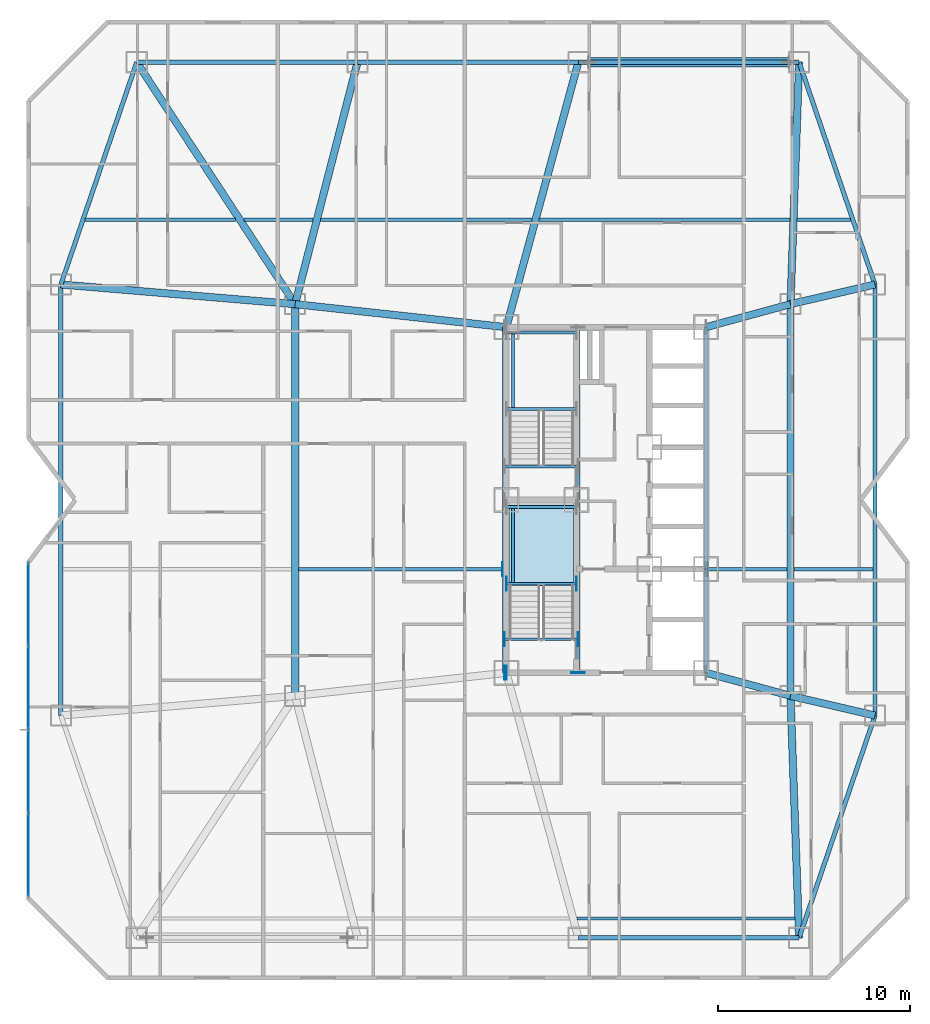
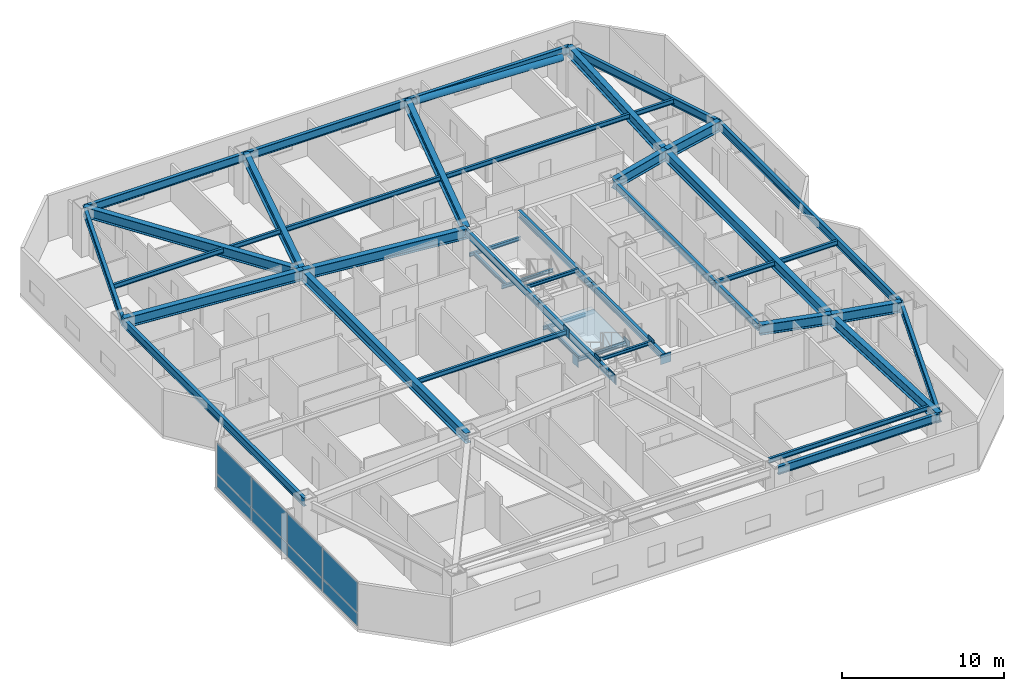
# One storey, part 7 of 18: 45 beams, 16 plates, 1 member, 1 slab, 2 elements without a shape of their own.
"""IFC4 building model written with IfcOpenShell, lengths in metres."""

from ifc_helpers import new_model, si_unit, direction, frame, origin, origin_2d, place, context, subcontext, project, spatial, polyline, rectangle, hollow_circle, i_section, outline, extrude, material, layer, layer_set, material_profile, profile_set, type_object, element, aggregate, save


model = new_model("IFC4")

# Units and contexts
model_context = context("Model", 3, precision=1e-05, world=origin(), true_north=direction((0.0, 1.0)))
body_context = subcontext(model_context, "Body", "Model", "MODEL_VIEW")
ifc_project = project(units=[si_unit("LENGTHUNIT", "METRE"), si_unit("AREAUNIT", "SQUARE_METRE"), si_unit("VOLUMEUNIT", "CUBIC_METRE"), si_unit("PLANEANGLEUNIT", "RADIAN"), si_unit("MASSUNIT", "GRAM", prefix="KILO")], contexts=[model_context])

# Site, building, storey
site_placement = place(None, origin())
site = spatial("IfcSite", under=ifc_project, at=site_placement, CompositionType="ELEMENT")
building_placement = place(site_placement, origin())
building = spatial("IfcBuilding", under=site, at=building_placement, Name="Khamvora Tower", CompositionType="ELEMENT")
storey_placement = place(building_placement, frame((0.0, 0.0, 47.89990234375)))
storey = spatial("IfcBuildingStorey", under=building, at=storey_placement, Name="L11", CompositionType="ELEMENT", Elevation=47.89990234375)

# Beams
ifc_material_1 = material(Name="Steel S355", Category="steel")
ifc_material_profile_1 = material_profile(ifc_material_1, i_section(OverallWidth=0.1708984375, OverallDepth=0.35498046875, WebThickness=0.007080078125, FlangeThickness=0.011962890625, FilletRadius=0.010009765625, at=origin_2d()), Name="W360x51")
ifc_profile_set_1 = profile_set([ifc_material_profile_1], Name="Steel S355")
beam_type_1 = type_object("IfcBeamType", Name="BM-JS-W360x51", PredefinedType="JOIST", material=ifc_profile_set_1)
beam_1_placement = place(storey_placement, frame((32.6708984375, 6.199951171875, 3.252197265625), z_axis=(1.0, 0.0, 0.0), x_axis=(0.0, 1.0, 0.0)))
element("IfcBeam", 1, at=beam_1_placement, inside=storey, type_object=beam_type_1, Name="L11 secondary floor joist 03", PredefinedType="JOIST", context=body_context, shape_type="SweptSolid", body=[
    extrude(i_section(OverallWidth=0.1708984375, OverallDepth=0.35498046875, WebThickness=0.007080078125, FlangeThickness=0.011962890625, FilletRadius=0.010009765625, at=origin_2d()), origin(), (0.0, 0.0, 1.0), 11.358154296875),
])
beam_2_placement = place(storey_placement, frame((18.18603515625, 24.39990234375, 3.252197265625), z_axis=(1.0, 0.0, 0.0), x_axis=(0.0, 1.0, 0.0)))
element("IfcBeam", 2, at=beam_2_placement, inside=storey, type_object=beam_type_1, Name="L11 secondary floor joist 05", PredefinedType="JOIST", context=body_context, shape_type="SweptSolid", body=[
    extrude(i_section(OverallWidth=0.1708984375, OverallDepth=0.35498046875, WebThickness=0.007080078125, FlangeThickness=0.011962890625, FilletRadius=0.010009765625, at=origin_2d()), origin(), (0.0, 0.0, 1.0), 10.614013671875),
])
beam_3_placement = place(storey_placement, frame((39.4990234375, 24.39990234375, 3.252197265625), z_axis=(1.0, 0.0, 0.0), x_axis=(0.0, 1.0, 0.0)))
element("IfcBeam", 3, at=beam_3_placement, inside=storey, type_object=beam_type_1, Name="L11 secondary floor joist 06", PredefinedType="JOIST", context=body_context, shape_type="SweptSolid", body=[
    extrude(i_section(OverallWidth=0.1708984375, OverallDepth=0.35498046875, WebThickness=0.007080078125, FlangeThickness=0.011962890625, FilletRadius=0.010009765625, at=origin_2d()), origin(), (0.0, 0.0, 1.0), 4.114990234375),
])
beam_4_placement = place(storey_placement, frame((43.985107421875, 24.39990234375, 3.252197265625), z_axis=(1.0, 0.0, 0.0), x_axis=(0.0, 1.0, 0.0)))
element("IfcBeam", 4, at=beam_4_placement, inside=storey, type_object=beam_type_1, Name="L11 secondary floor joist 07", PredefinedType="JOIST", context=body_context, shape_type="SweptSolid", body=[
    extrude(i_section(OverallWidth=0.1708984375, OverallDepth=0.35498046875, WebThickness=0.007080078125, FlangeThickness=0.011962890625, FilletRadius=0.010009765625, at=origin_2d()), origin(), (0.0, 0.0, 1.0), 4.10498046875),
])
beam_5_placement = place(storey_placement, frame((7.068115234375, 42.60009765625, 3.252197265625), z_axis=(1.0, 0.0, 0.0), x_axis=(0.0, 1.0, 0.0)))
element("IfcBeam", 5, at=beam_5_placement, inside=storey, type_object=beam_type_1, Name="L11 secondary floor joist 08", PredefinedType="JOIST", context=body_context, shape_type="SweptSolid", body=[
    extrude(i_section(OverallWidth=0.1708984375, OverallDepth=0.35498046875, WebThickness=0.007080078125, FlangeThickness=0.011962890625, FilletRadius=0.010009765625, at=origin_2d()), origin(), (0.0, 0.0, 1.0), 7.827880859375),
])
beam_6_placement = place(storey_placement, frame((15.342041015625, 42.60009765625, 3.252197265625), z_axis=(1.0, 0.0, 0.0), x_axis=(0.0, 1.0, 0.0)))
element("IfcBeam", 6, at=beam_6_placement, inside=storey, type_object=beam_type_1, Name="L11 secondary floor joist 09", PredefinedType="JOIST", context=body_context, shape_type="SweptSolid", body=[
    extrude(i_section(OverallWidth=0.1708984375, OverallDepth=0.35498046875, WebThickness=0.007080078125, FlangeThickness=0.011962890625, FilletRadius=0.010009765625, at=origin_2d()), origin(), (0.0, 0.0, 1.0), 3.60107421875),
])
beam_7_placement = place(storey_placement, frame((19.326904296875, 42.60009765625, 3.252197265625), z_axis=(1.0, 0.0, 0.0), x_axis=(0.0, 1.0, 0.0)))
element("IfcBeam", 7, at=beam_7_placement, inside=storey, type_object=beam_type_1, Name="L11 secondary floor joist 10", PredefinedType="JOIST", context=body_context, shape_type="SweptSolid", body=[
    extrude(i_section(OverallWidth=0.1708984375, OverallDepth=0.35498046875, WebThickness=0.007080078125, FlangeThickness=0.011962890625, FilletRadius=0.010009765625, at=origin_2d()), origin(), (0.0, 0.0, 1.0), 11.002197265625),
])
beam_8_placement = place(storey_placement, frame((30.714111328125, 42.60009765625, 3.252197265625), z_axis=(1.0, 0.0, 0.0), x_axis=(0.0, 1.0, 0.0)))
element("IfcBeam", 8, at=beam_8_placement, inside=storey, type_object=beam_type_1, Name="L11 secondary floor joist 11", PredefinedType="JOIST", context=body_context, shape_type="SweptSolid", body=[
    extrude(i_section(OverallWidth=0.1708984375, OverallDepth=0.35498046875, WebThickness=0.007080078125, FlangeThickness=0.011962890625, FilletRadius=0.010009765625, at=origin_2d()), origin(), (0.0, 0.0, 1.0), 13.057861328125),
])
beam_9_placement = place(storey_placement, frame((44.14306640625, 42.60009765625, 3.252197265625), z_axis=(1.0, 0.0, 0.0), x_axis=(0.0, 1.0, 0.0)))
element("IfcBeam", 9, at=beam_9_placement, inside=storey, type_object=beam_type_1, Name="L11 secondary floor joist 12", PredefinedType="JOIST", context=body_context, shape_type="SweptSolid", body=[
    extrude(i_section(OverallWidth=0.1708984375, OverallDepth=0.35498046875, WebThickness=0.007080078125, FlangeThickness=0.011962890625, FilletRadius=0.010009765625, at=origin_2d()), origin(), (0.0, 0.0, 1.0), 2.788818359375),
])
ifc_material_profile_2 = material_profile(ifc_material_1, i_section(OverallWidth=0.14697265625, OverallDepth=0.261962890625, WebThickness=0.007080078125, FlangeThickness=0.010986328125, FilletRadius=0.008056640625, at=origin_2d()), Name="W250x39")
ifc_profile_set_2 = profile_set([ifc_material_profile_2], Name="Steel S355")
beam_type_2 = type_object("IfcBeamType", Name="BM-LN-W250x39", PredefinedType="LINTEL", material=ifc_profile_set_2)
for number, where, z_axis, x_axis, name in (
    (10, (29.0, 23.635009765625, 1.494140625), (1.0, 0.0, 0.0), (0.0, 1.0, 0.0), "L11 ST-01 half-landing support beam 1.1"),
    (11, (29.0, 27.6298828125, 1.494140625), (1.0, 0.0, 0.0), (0.0, 1.0, 0.0), "L11 ST-01 half-landing support beam 1.2"),
):
    element("IfcBeam", number, at=place(storey_placement, frame(where, z_axis=z_axis, x_axis=x_axis)), inside=storey, type_object=beam_type_2, Name=name, PredefinedType="LINTEL", context=body_context, shape_type="SweptSolid", body=[
        extrude(i_section(OverallWidth=0.14697265625, OverallDepth=0.261962890625, WebThickness=0.007080078125, FlangeThickness=0.010986328125, FilletRadius=0.008056640625, at=origin_2d()), origin(), (0.0, 0.0, 1.0), 3.64990234375),
    ])
beam_10_placement = place(storey_placement, frame((29.35009765625, 23.635009765625, 1.494140625), z_axis=(0.0, 1.0, 0.0), x_axis=(-1.0, 0.0, 0.0)))
element("IfcBeam", 12, at=beam_10_placement, inside=storey, type_object=beam_type_2, Name="L11 ST-01 half-landing edge stringer 1", PredefinedType="LINTEL", context=body_context, shape_type="SweptSolid", body=[
    extrude(i_section(OverallWidth=0.14697265625, OverallDepth=0.261962890625, WebThickness=0.007080078125, FlangeThickness=0.010986328125, FilletRadius=0.008056640625, at=origin_2d()), origin(), (0.0, 0.0, 1.0), 3.994873046875),
])
for number, where, z_axis, x_axis, name in (
    (13, (29.0, 32.735107421875, 1.494140625), (1.0, 0.0, 0.0), (0.0, 1.0, 0.0), "L11 ST-02 half-landing support beam 1.1"),
    (14, (29.0, 36.72998046875, 1.494140625), (1.0, 0.0, 0.0), (0.0, 1.0, 0.0), "L11 ST-02 half-landing support beam 1.2"),
):
    element("IfcBeam", number, at=place(storey_placement, frame(where, z_axis=z_axis, x_axis=x_axis)), inside=storey, type_object=beam_type_2, Name=name, PredefinedType="LINTEL", context=body_context, shape_type="SweptSolid", body=[
        extrude(i_section(OverallWidth=0.14697265625, OverallDepth=0.261962890625, WebThickness=0.007080078125, FlangeThickness=0.010986328125, FilletRadius=0.008056640625, at=origin_2d()), origin(), (0.0, 0.0, 1.0), 3.64990234375),
    ])
beam_11_placement = place(storey_placement, frame((29.35009765625, 32.735107421875, 1.494140625), z_axis=(0.0, 1.0, 0.0), x_axis=(-1.0, 0.0, 0.0)))
element("IfcBeam", 15, at=beam_11_placement, inside=storey, type_object=beam_type_2, Name="L11 ST-02 half-landing edge stringer 1", PredefinedType="LINTEL", context=body_context, shape_type="SweptSolid", body=[
    extrude(i_section(OverallWidth=0.14697265625, OverallDepth=0.261962890625, WebThickness=0.007080078125, FlangeThickness=0.010986328125, FilletRadius=0.008056640625, at=origin_2d()), origin(), (0.0, 0.0, 1.0), 3.994873046875),
])
for number, where, z_axis, x_axis, name in (
    (16, (28.89990234375, 20.75, 3.30419921875), (1.0, 0.0, 0.0), (0.0, 1.0, 0.0), "L11 exit stair ST-01 landing trimmer beam"),
    (17, (28.89990234375, 29.75, 3.30419921875), (1.0, 0.0, 0.0), (0.0, 1.0, 0.0), "L11 exit stair ST-02 landing trimmer beam"),
):
    element("IfcBeam", number, at=place(storey_placement, frame(where, z_axis=z_axis, x_axis=x_axis)), inside=storey, type_object=beam_type_2, Name=name, PredefinedType="LINTEL", context=body_context, shape_type="SweptSolid", body=[
        extrude(i_section(OverallWidth=0.14697265625, OverallDepth=0.261962890625, WebThickness=0.007080078125, FlangeThickness=0.010986328125, FilletRadius=0.008056640625, at=origin_2d()), origin(), (0.0, 0.0, 1.0), 3.830078125),
    ])
ifc_material_profile_3 = material_profile(ifc_material_1, i_section(OverallWidth=0.381103515625, OverallDepth=0.77294921875, WebThickness=0.01708984375, FlangeThickness=0.027099609375, FilletRadius=0.01806640625, at=origin_2d()), Name="W760x257")
ifc_profile_set_3 = profile_set([ifc_material_profile_3], Name="Steel S355")
beam_type_3 = type_object("IfcBeamType", Name="BM-PG-W760x257", PredefinedType="BEAM", material=ifc_profile_set_3)
for number, where, z_axis, x_axis, name in (
    (18, (43.800048828125, 17.800048828125, 3.044189453125), (0.0, 1.0, 0.0), (-1.0, 0.0, 0.0), "L11 longitudinal frame girder M1-M2"),
    (19, (18.0, 17.800048828125, 3.044189453125), (0.0, 1.0, 0.0), (-1.0, 0.0, 0.0), "L11 longitudinal frame girder MW1-MW2"),
):
    element("IfcBeam", number, at=place(storey_placement, frame(where, z_axis=z_axis, x_axis=x_axis)), inside=storey, type_object=beam_type_3, Name=name, PredefinedType="BEAM", context=body_context, shape_type="SweptSolid", body=[
        extrude(i_section(OverallWidth=0.381103515625, OverallDepth=0.77294921875, WebThickness=0.01708984375, FlangeThickness=0.027099609375, FilletRadius=0.01806640625, at=origin_2d()), origin(), (0.0, 0.0, 1.0), 20.39990234375),
    ])
beam_12_placement = place(storey_placement, frame((43.800048828125, 17.800048828125, 3.044189453125), z_axis=(0.035687386423, -0.999363002342, 0.0), x_axis=(0.999363002342, 0.035687386423, 0.0)))
element("IfcBeam", 20, at=beam_12_placement, inside=storey, type_object=beam_type_3, Name="L11 primary floor girder S4", PredefinedType="BEAM", context=body_context, shape_type="SweptSolid", body=[
    extrude(i_section(OverallWidth=0.381103515625, OverallDepth=0.77294921875, WebThickness=0.01708984375, FlangeThickness=0.027099609375, FilletRadius=0.01806640625, at=origin_2d()), origin(), (0.0, 0.0, 1.0), 12.608154296875),
])
beam_13_placement = place(storey_placement, frame((18.0, 38.199951171875, 3.044189453125), z_axis=(-0.547782969742, 0.836620474325, 0.0), x_axis=(-0.836620474325, -0.547782969742, 0.0)))
element("IfcBeam", 21, at=beam_13_placement, inside=storey, type_object=beam_type_3, Name="L11 primary floor girder N1", PredefinedType="BEAM", context=body_context, shape_type="SweptSolid", body=[
    extrude(i_section(OverallWidth=0.381103515625, OverallDepth=0.77294921875, WebThickness=0.01708984375, FlangeThickness=0.027099609375, FilletRadius=0.01806640625, at=origin_2d()), origin(), (0.0, 0.0, 1.0), 15.060791015625),
])
beam_14_placement = place(storey_placement, frame((18.0, 38.199951171875, 3.044189453125), z_axis=(0.249759990341, 0.968307775051, 0.0), x_axis=(-0.968307775051, 0.249759990341, 0.0)))
element("IfcBeam", 22, at=beam_14_placement, inside=storey, type_object=beam_type_3, Name="L11 primary floor girder N2", PredefinedType="BEAM", context=body_context, shape_type="SweptSolid", body=[
    extrude(i_section(OverallWidth=0.381103515625, OverallDepth=0.77294921875, WebThickness=0.01708984375, FlangeThickness=0.027099609375, FilletRadius=0.01806640625, at=origin_2d()), origin(), (0.0, 0.0, 1.0), 13.012451171875),
])
beam_15_placement = place(storey_placement, frame((29.0, 37.0, 3.044189453125), z_axis=(0.262228883577, 0.965005706003, 0.0), x_axis=(-0.965005706003, 0.262228883577, 0.0)))
element("IfcBeam", 23, at=beam_15_placement, inside=storey, type_object=beam_type_3, Name="L11 primary floor girder N3", PredefinedType="BEAM", context=body_context, shape_type="SweptSolid", body=[
    extrude(i_section(OverallWidth=0.381103515625, OverallDepth=0.77294921875, WebThickness=0.01708984375, FlangeThickness=0.027099609375, FilletRadius=0.01806640625, at=origin_2d()), origin(), (0.0, 0.0, 1.0), 14.300537109375),
])
beam_16_placement = place(storey_placement, frame((43.800048828125, 38.199951171875, 3.044189453125), z_axis=(0.035687386423, 0.999363002342, 0.0), x_axis=(-0.999363002342, 0.035687386423, 0.0)))
element("IfcBeam", 24, at=beam_16_placement, inside=storey, type_object=beam_type_3, Name="L11 primary floor girder N4", PredefinedType="BEAM", context=body_context, shape_type="SweptSolid", body=[
    extrude(i_section(OverallWidth=0.381103515625, OverallDepth=0.77294921875, WebThickness=0.01708984375, FlangeThickness=0.027099609375, FilletRadius=0.01806640625, at=origin_2d()), origin(), (0.0, 0.0, 1.0), 12.608154296875),
])
beam_17_placement = place(storey_placement, frame((18.0, 38.199951171875, 3.044189453125), z_axis=(-0.996488172114, 0.083733642207, 0.0), x_axis=(-0.083733642207, -0.996488172114, 0.0)))
element("IfcBeam", 25, at=beam_17_placement, inside=storey, type_object=beam_type_3, Name="L11 primary floor girder W2", PredefinedType="BEAM", context=body_context, shape_type="SweptSolid", body=[
    extrude(i_section(OverallWidth=0.381103515625, OverallDepth=0.77294921875, WebThickness=0.01708984375, FlangeThickness=0.027099609375, FilletRadius=0.01806640625, at=origin_2d()), origin(), (0.0, 0.0, 1.0), 12.242919921875),
])
for number, where, z_axis, x_axis, name in (
    (26, (43.800048828125, 17.800048828125, 3.044189453125), (0.973914503503, -0.226915270237, 0.0), (0.226915270237, 0.973914503503, 0.0), "L11 primary floor girder E1"),
    (27, (43.800048828125, 38.199951171875, 3.044189453125), (0.973914503503, 0.226915270237, 0.0), (-0.226915270237, 0.973914503503, 0.0), "L11 primary floor girder E2"),
):
    element("IfcBeam", number, at=place(storey_placement, frame(where, z_axis=z_axis, x_axis=x_axis)), inside=storey, type_object=beam_type_3, Name=name, PredefinedType="BEAM", context=body_context, shape_type="SweptSolid", body=[
        extrude(i_section(OverallWidth=0.381103515625, OverallDepth=0.77294921875, WebThickness=0.01708984375, FlangeThickness=0.027099609375, FilletRadius=0.01806640625, at=origin_2d()), origin(), (0.0, 0.0, 1.0), 4.517822265625),
    ])
beam_18_placement = place(storey_placement, frame((29.0, 37.0, 3.044189453125), z_axis=(-0.994102652327, 0.108443149329, 0.0), x_axis=(-0.108443149329, -0.994102652327, 0.0)))
element("IfcBeam", 28, at=beam_18_placement, inside=storey, type_object=beam_type_3, Name="L11 primary floor girder MW2", PredefinedType="BEAM", context=body_context, shape_type="SweptSolid", body=[
    extrude(i_section(OverallWidth=0.381103515625, OverallDepth=0.77294921875, WebThickness=0.01708984375, FlangeThickness=0.027099609375, FilletRadius=0.01806640625, at=origin_2d()), origin(), (0.0, 0.0, 1.0), 11.065185546875),
])
for number, where, z_axis, x_axis, name in (
    (29, (39.39990234375, 19.0, 3.044189453125), (0.964768762286, -0.263099287945, 0.0), (0.263099287945, 0.964768762286, 0.0), "L11 primary floor girder M1"),
    (30, (39.39990234375, 37.0, 3.044189453125), (0.964768762286, 0.263099287945, 0.0), (-0.263099287945, 0.964768762286, 0.0), "L11 primary floor girder M2"),
):
    element("IfcBeam", number, at=place(storey_placement, frame(where, z_axis=z_axis, x_axis=x_axis)), inside=storey, type_object=beam_type_3, Name=name, PredefinedType="BEAM", context=body_context, shape_type="SweptSolid", body=[
        extrude(i_section(OverallWidth=0.381103515625, OverallDepth=0.77294921875, WebThickness=0.01708984375, FlangeThickness=0.027099609375, FilletRadius=0.01806640625, at=origin_2d()), origin(), (0.0, 0.0, 1.0), 4.560791015625),
    ])
ifc_material_profile_4 = material_profile(ifc_material_1, i_section(OverallWidth=0.208984375, OverallDepth=0.532958984375, WebThickness=0.010009765625, FlangeThickness=0.01611328125, FilletRadius=0.013916015625, at=origin_2d()), Name="W530x92")
ifc_profile_set_4 = profile_set([ifc_material_profile_4], Name="Steel S355")
beam_type_4 = type_object("IfcBeamType", Name="BM-SP-W530x92", PredefinedType="SPANDREL", material=ifc_profile_set_4)
for number, where, z_axis, x_axis, name in (
    (31, (28.89990234375, 19.0, 3.1630859375), (0.0, 1.0, 0.0), (-1.0, 0.0, 0.0), "L11 core spine girder WS"),
    (32, (28.89990234375, 28.0, 3.1630859375), (0.0, 1.0, 0.0), (-1.0, 0.0, 0.0), "L11 core spine girder WN"),
    (33, (32.72998046875, 19.0, 3.1630859375), (0.0, 1.0, 0.0), (-1.0, 0.0, 0.0), "L11 core spine girder M1S"),
    (34, (32.72998046875, 28.0, 3.1630859375), (0.0, 1.0, 0.0), (-1.0, 0.0, 0.0), "L11 core spine girder M1N"),
):
    element("IfcBeam", number, at=place(storey_placement, frame(where, z_axis=z_axis, x_axis=x_axis)), inside=storey, type_object=beam_type_4, Name=name, PredefinedType="SPANDREL", context=body_context, shape_type="SweptSolid", body=[
        extrude(i_section(OverallWidth=0.208984375, OverallDepth=0.532958984375, WebThickness=0.010009765625, FlangeThickness=0.01611328125, FilletRadius=0.013916015625, at=origin_2d()), origin(), (0.0, 0.0, 1.0), 9.0),
    ])
beam_19_placement = place(storey_placement, frame((39.39990234375, 19.0, 3.1630859375), z_axis=(0.0, 1.0, 0.0), x_axis=(-1.0, 0.0, 0.0)))
element("IfcBeam", 35, at=beam_19_placement, inside=storey, type_object=beam_type_4, Name="L11 core spine girder ES", PredefinedType="SPANDREL", context=body_context, shape_type="SweptSolid", body=[
    extrude(i_section(OverallWidth=0.208984375, OverallDepth=0.532958984375, WebThickness=0.010009765625, FlangeThickness=0.01611328125, FilletRadius=0.013916015625, at=origin_2d()), origin(), (0.0, 0.0, 1.0), 5.39990234375),
])
beam_20_placement = place(storey_placement, frame((39.39990234375, 24.39990234375, 3.1630859375), z_axis=(0.0, 1.0, 0.0), x_axis=(-1.0, 0.0, 0.0)))
element("IfcBeam", 36, at=beam_20_placement, inside=storey, type_object=beam_type_4, Name="L11 core spine girder EN", PredefinedType="SPANDREL", context=body_context, shape_type="SweptSolid", body=[
    extrude(i_section(OverallWidth=0.208984375, OverallDepth=0.532958984375, WebThickness=0.010009765625, FlangeThickness=0.01611328125, FilletRadius=0.013916015625, at=origin_2d()), origin(), (0.0, 0.0, 1.0), 12.60009765625),
])
ifc_material_profile_5 = material_profile(ifc_material_1, i_section(OverallWidth=0.22998046875, OverallDepth=0.616943359375, WebThickness=0.012939453125, FlangeThickness=0.02197265625, FilletRadius=0.013916015625, at=origin_2d()), Name="W610x140")
ifc_profile_set_5 = profile_set([ifc_material_profile_5], Name="Steel S355")
beam_type_5 = type_object("IfcBeamType", Name="BM-SP-W610x140", PredefinedType="SPANDREL", material=ifc_profile_set_5)
beam_21_placement = place(storey_placement, frame((32.75, 5.199951171875, 3.12109375), z_axis=(1.0, 0.0, 0.0), x_axis=(0.0, 1.0, 0.0)))
element("IfcBeam", 37, at=beam_21_placement, inside=storey, type_object=beam_type_5, Name="L11 perimeter spandrel beam S3-S4", PredefinedType="SPANDREL", context=body_context, shape_type="SweptSolid", body=[
    extrude(i_section(OverallWidth=0.22998046875, OverallDepth=0.616943359375, WebThickness=0.012939453125, FlangeThickness=0.02197265625, FilletRadius=0.013916015625, at=origin_2d()), origin(), (0.0, 0.0, 1.0), 11.5),
])
beam_22_placement = place(storey_placement, frame((44.25, 5.199951171875, 3.12109375), z_axis=(0.322962893199, 0.946411628002, 0.0), x_axis=(-0.946411628002, 0.322962893199, 0.0)))
element("IfcBeam", 38, at=beam_22_placement, inside=storey, type_object=beam_type_5, Name="L11 perimeter spandrel beam S4-E1", PredefinedType="SPANDREL", context=body_context, shape_type="SweptSolid", body=[
    extrude(i_section(OverallWidth=0.22998046875, OverallDepth=0.616943359375, WebThickness=0.012939453125, FlangeThickness=0.02197265625, FilletRadius=0.013916015625, at=origin_2d()), origin(), (0.0, 0.0, 1.0), 12.23046875),
])
beam_23_placement = place(storey_placement, frame((48.199951171875, 16.77490234375, 3.12109375), z_axis=(0.0, 1.0, 0.0), x_axis=(-1.0, 0.0, 0.0)))
element("IfcBeam", 39, at=beam_23_placement, inside=storey, type_object=beam_type_5, Name="L11 perimeter spandrel beam E1-E2", PredefinedType="SPANDREL", context=body_context, shape_type="SweptSolid", body=[
    extrude(i_section(OverallWidth=0.22998046875, OverallDepth=0.616943359375, WebThickness=0.012939453125, FlangeThickness=0.02197265625, FilletRadius=0.013916015625, at=origin_2d()), origin(), (0.0, 0.0, 1.0), 22.4501953125),
])
beam_24_placement = place(storey_placement, frame((48.199951171875, 39.22509765625, 3.12109375), z_axis=(-0.322962893199, 0.946411628002, 0.0), x_axis=(-0.946411628002, -0.322962893199, 0.0)))
element("IfcBeam", 40, at=beam_24_placement, inside=storey, type_object=beam_type_5, Name="L11 perimeter spandrel beam E2-N4", PredefinedType="SPANDREL", context=body_context, shape_type="SweptSolid", body=[
    extrude(i_section(OverallWidth=0.22998046875, OverallDepth=0.616943359375, WebThickness=0.012939453125, FlangeThickness=0.02197265625, FilletRadius=0.013916015625, at=origin_2d()), origin(), (0.0, 0.0, 1.0), 12.23046875),
])
for number, where, z_axis, x_axis, name in (
    (41, (44.25, 50.800048828125, 3.12109375), (-1.0, 0.0, 0.0), (0.0, -1.0, 0.0), "L11 perimeter spandrel beam N4-N3"),
    (42, (32.75, 50.800048828125, 3.12109375), (-1.0, 0.0, 0.0), (0.0, -1.0, 0.0), "L11 perimeter spandrel beam N3-N2"),
    (43, (21.25, 50.800048828125, 3.12109375), (-1.0, 0.0, 0.0), (0.0, -1.0, 0.0), "L11 perimeter spandrel beam N2-N1"),
):
    element("IfcBeam", number, at=place(storey_placement, frame(where, z_axis=z_axis, x_axis=x_axis)), inside=storey, type_object=beam_type_5, Name=name, PredefinedType="SPANDREL", context=body_context, shape_type="SweptSolid", body=[
        extrude(i_section(OverallWidth=0.22998046875, OverallDepth=0.616943359375, WebThickness=0.012939453125, FlangeThickness=0.02197265625, FilletRadius=0.013916015625, at=origin_2d()), origin(), (0.0, 0.0, 1.0), 11.5),
    ])
beam_25_placement = place(storey_placement, frame((9.75, 50.800048828125, 3.12109375), z_axis=(-0.322962893199, -0.946411628002, 0.0), x_axis=(0.946411628002, -0.322962893199, 0.0)))
element("IfcBeam", 44, at=beam_25_placement, inside=storey, type_object=beam_type_5, Name="L11 perimeter spandrel beam N1-W2", PredefinedType="SPANDREL", context=body_context, shape_type="SweptSolid", body=[
    extrude(i_section(OverallWidth=0.22998046875, OverallDepth=0.616943359375, WebThickness=0.012939453125, FlangeThickness=0.02197265625, FilletRadius=0.013916015625, at=origin_2d()), origin(), (0.0, 0.0, 1.0), 12.23046875),
])
beam_26_placement = place(storey_placement, frame((5.800048828125, 39.22509765625, 3.12109375), z_axis=(0.0, -1.0, 0.0), x_axis=(1.0, 0.0, 0.0)))
element("IfcBeam", 45, at=beam_26_placement, inside=storey, type_object=beam_type_5, Name="L11 perimeter spandrel beam W2-W1", PredefinedType="SPANDREL", context=body_context, shape_type="SweptSolid", body=[
    extrude(i_section(OverallWidth=0.22998046875, OverallDepth=0.616943359375, WebThickness=0.012939453125, FlangeThickness=0.02197265625, FilletRadius=0.013916015625, at=origin_2d()), origin(), (0.0, 0.0, 1.0), 22.4501953125),
])

# Member
ifc_material_2 = material(Name="Steel S460", Category="steel")
ifc_material_profile_6 = material_profile(ifc_material_2, hollow_circle(Radius=0.25390625, WallThickness=0.02490234375, at=origin_2d()), Name="CHS508x25")
ifc_profile_set_6 = profile_set([ifc_material_profile_6], Name="Steel S460")
member_type = type_object("IfcMemberType", Name="MEM-BR-CHS508", PredefinedType="BRACE", material=ifc_profile_set_6)
member_placement = place(storey_placement, frame((43.719970703125, 50.800048828125, 2.7001953125), z_axis=(-0.999263588849, 0.0, 0.038370301036), x_axis=(0.0, -1.0, 0.0)))
element("IfcMember", 46, at=member_placement, inside=storey, type_object=member_type, Name="L11 perimeter wind brace 2", PredefinedType="BRACE", context=body_context, shape_type="SweptSolid", body=[
    extrude(hollow_circle(Radius=0.25390625, WallThickness=0.02490234375, at=origin_2d()), origin(), (0.0, 0.0, 1.0), 10.44775390625),
])

# Curtain wall, plates
ifc_material_3 = material(Name="Anodised Aluminium 6063-T6", Category="aluminium")
curtain_wall_type = type_object("IfcCurtainWallType", Name="CW-SYS-02", PredefinedType="NOTDEFINED", material=ifc_material_3)
curtain_wall_placement = place(storey_placement, origin())
curtain_wall = element("IfcCurtainWall", 47, at=curtain_wall_placement, inside=storey, type_object=curtain_wall_type, Name="L11 stick curtain wall 02.1", PredefinedType="NOTDEFINED")
ifc_material_4 = material(Name="Low-E Laminated Double Glazing", Category="glass")
ifc_layer_1 = layer(ifc_material_4, 0.031982421875)
ifc_layer_set_1 = layer_set([ifc_layer_1], Name="Low-E Laminated Double Glazing")
plate_type_1 = type_object("IfcPlateType", Name="CW-SYS-02-PNL", PredefinedType="CURTAIN_PANEL", material=ifc_layer_set_1)
plate_1_placement = place(storey_placement, frame((4.110107421875, 9.51513671875, 0.06982421875), z_axis=(0.0, 0.0, 1.0), x_axis=(0.0, 1.0, 0.0)))
plate_1 = element("IfcPlate", 48, at=plate_1_placement, type_object=plate_type_1, Name="CW-02 panel 1.1", PredefinedType="CURTAIN_PANEL", context=body_context, shape_type="SweptSolid", body=[
    extrude(rectangle(XDim=4.256591796875, YDim=0.031982421875, at=origin_2d()), origin(), (0.0, 0.0, 1.0), 0.945068359375),
])
plate_2_placement = place(storey_placement, frame((4.110107421875, 9.51513671875, 1.085205078125), z_axis=(0.0, 0.0, 1.0), x_axis=(0.0, 1.0, 0.0)))
plate_2 = element("IfcPlate", 49, at=plate_2_placement, type_object=plate_type_1, Name="CW-02 panel 1.2", PredefinedType="CURTAIN_PANEL", context=body_context, shape_type="SweptSolid", body=[
    extrude(rectangle(XDim=4.256591796875, YDim=0.031982421875, at=origin_2d()), origin(), (0.0, 0.0, 1.0), 2.27490234375),
])
plate_3_placement = place(storey_placement, frame((4.110107421875, 13.859130859375, 0.06982421875), z_axis=(0.0, 0.0, 1.0), x_axis=(0.0, 1.0, 0.0)))
plate_3 = element("IfcPlate", 50, at=plate_3_placement, type_object=plate_type_1, Name="CW-02 panel 2.1", PredefinedType="CURTAIN_PANEL", context=body_context, shape_type="SweptSolid", body=[
    extrude(rectangle(XDim=4.29150390625, YDim=0.031982421875, at=origin_2d()), origin(), (0.0, 0.0, 1.0), 0.945068359375),
])
plate_4_placement = place(storey_placement, frame((4.110107421875, 13.859130859375, 1.085205078125), z_axis=(0.0, 0.0, 1.0), x_axis=(0.0, 1.0, 0.0)))
plate_4 = element("IfcPlate", 51, at=plate_4_placement, type_object=plate_type_1, Name="CW-02 panel 2.2", PredefinedType="CURTAIN_PANEL", context=body_context, shape_type="SweptSolid", body=[
    extrude(rectangle(XDim=4.29150390625, YDim=0.031982421875, at=origin_2d()), origin(), (0.0, 0.0, 1.0), 2.27490234375),
])
plate_5_placement = place(storey_placement, frame((4.110107421875, 18.220703125, 0.06982421875), z_axis=(0.0, 0.0, 1.0), x_axis=(0.0, 1.0, 0.0)))
plate_5 = element("IfcPlate", 52, at=plate_5_placement, type_object=plate_type_1, Name="CW-02 panel 3.1", PredefinedType="CURTAIN_PANEL", context=body_context, shape_type="SweptSolid", body=[
    extrude(rectangle(XDim=4.29150390625, YDim=0.031982421875, at=origin_2d()), origin(), (0.0, 0.0, 1.0), 0.945068359375),
])
plate_6_placement = place(storey_placement, frame((4.110107421875, 18.220703125, 1.085205078125), z_axis=(0.0, 0.0, 1.0), x_axis=(0.0, 1.0, 0.0)))
plate_6 = element("IfcPlate", 53, at=plate_6_placement, type_object=plate_type_1, Name="CW-02 panel 3.2", PredefinedType="CURTAIN_PANEL", context=body_context, shape_type="SweptSolid", body=[
    extrude(rectangle(XDim=4.29150390625, YDim=0.031982421875, at=origin_2d()), origin(), (0.0, 0.0, 1.0), 2.27490234375),
])
plate_7_placement = place(storey_placement, frame((4.110107421875, 22.564697265625, 0.06982421875), z_axis=(0.0, 0.0, 1.0), x_axis=(0.0, 1.0, 0.0)))
plate_7 = element("IfcPlate", 54, at=plate_7_placement, type_object=plate_type_1, Name="CW-02 panel 4.1", PredefinedType="CURTAIN_PANEL", context=body_context, shape_type="SweptSolid", body=[
    extrude(rectangle(XDim=4.256591796875, YDim=0.031982421875, at=origin_2d()), origin(), (0.0, 0.0, 1.0), 0.945068359375),
])
plate_8_placement = place(storey_placement, frame((4.110107421875, 22.564697265625, 1.085205078125), z_axis=(0.0, 0.0, 1.0), x_axis=(0.0, 1.0, 0.0)))
plate_8 = element("IfcPlate", 55, at=plate_8_placement, type_object=plate_type_1, Name="CW-02 panel 4.2", PredefinedType="CURTAIN_PANEL", context=body_context, shape_type="SweptSolid", body=[
    extrude(rectangle(XDim=4.256591796875, YDim=0.031982421875, at=origin_2d()), origin(), (0.0, 0.0, 1.0), 2.27490234375),
])
aggregate(curtain_wall, [plate_1, plate_2, plate_3, plate_4, plate_5, plate_6, plate_7, plate_8])

# Plates
ifc_layer_2 = layer(ifc_material_2, 0.034912109375)
ifc_layer_set_2 = layer_set([ifc_layer_2], Name="Steel S460")
plate_type_2 = type_object("IfcPlateType", Name="PL-EMB-35", PredefinedType="SHEET", material=ifc_layer_set_2)
for number, where, z_axis, x_axis, name in (
    (56, (29.0, 23.635009765625, 1.13427734375), (0.0, 0.0, 1.0), (1.0, 0.0, 0.0), "L11 core shear wall cast-in embed plate 0338"),
    (57, (32.64990234375, 23.635009765625, 1.13427734375), (0.0, 0.0, 1.0), (1.0, 0.0, 0.0), "L11 core shear wall cast-in embed plate 0339"),
    (58, (29.0, 19.0, 2.68408203125), (0.0, 0.0, 1.0), (1.0, 0.0, 0.0), "L11 core shear wall cast-in embed plate 0347"),
    (59, (28.89990234375, 19.0, 2.80322265625), (0.0, 0.0, 1.0), (1.0, 0.0, 0.0), "L11 core shear wall cast-in embed plate 0351"),
):
    element("IfcPlate", number, at=place(storey_placement, frame(where, z_axis=z_axis, x_axis=x_axis)), inside=storey, type_object=plate_type_2, Name=name, PredefinedType="SHEET", context=body_context, shape_type="SweptSolid", body=[
        extrude(rectangle(XDim=0.034912109375, YDim=0.719970703125, at=origin_2d()), origin(), (0.0, 0.0, 1.0), 0.719970703125),
    ])
plate_9_placement = place(storey_placement, frame((32.72998046875, 19.0, 2.80322265625), z_axis=(0.0, 0.0, 1.0), x_axis=(1.0, 0.0, 0.0)))
element("IfcPlate", 60, at=plate_9_placement, inside=storey, type_object=plate_type_2, Name="L11 core shear wall cast-in embed plate 0354", PredefinedType="SHEET", context=body_context, shape_type="SweptSolid", body=[
    extrude(rectangle(XDim=0.719970703125, YDim=0.034912109375, at=origin_2d()), origin(), (0.0, 0.0, 1.0), 0.719970703125),
])
for number, where, z_axis, x_axis, name in (
    (61, (28.89990234375, 20.75, 2.9443359375), (0.0, 0.0, 1.0), (1.0, 0.0, 0.0), "L11 core shear wall cast-in embed plate 0360"),
    (62, (32.72998046875, 20.75, 2.9443359375), (0.0, 0.0, 1.0), (1.0, 0.0, 0.0), "L11 core shear wall cast-in embed plate 0361"),
    (63, (28.800048828125, 24.39990234375, 2.89208984375), (0.0, 0.0, 1.0), (1.0, 0.0, 0.0), "L11 core shear wall cast-in embed plate 0364"),
):
    element("IfcPlate", number, at=place(storey_placement, frame(where, z_axis=z_axis, x_axis=x_axis)), inside=storey, type_object=plate_type_2, Name=name, PredefinedType="SHEET", context=body_context, shape_type="SweptSolid", body=[
        extrude(rectangle(XDim=0.034912109375, YDim=0.719970703125, at=origin_2d()), origin(), (0.0, 0.0, 1.0), 0.719970703125),
    ])

# Stair, slab
ifc_material_5 = material(Name="Concrete C40/50", Category="concrete")
stair_type = type_object("IfcStairType", Name="STR-ST-01", PredefinedType="HALF_TURN_STAIR", material=ifc_material_5)
stair_placement = place(storey_placement, origin())
stair = element("IfcStair", 64, at=stair_placement, inside=storey, type_object=stair_type, Name="L11 South Tower Exit Stair ST-01", PredefinedType="HALF_TURN_STAIR")
ifc_layer_3 = layer(ifc_material_5, 0.199951171875)
ifc_layer_set_3 = layer_set([ifc_layer_3], Name="Concrete C40/50")
slab_type = type_object("IfcSlabType", Name="SLB-LND-200", PredefinedType="LANDING", material=ifc_layer_set_3)
slab_placement = place(storey_placement, frame((0.0, 0.0, 1.625)))
slab = element("IfcSlab", 65, at=slab_placement, type_object=slab_type, Name="ST-01 landing 1", PredefinedType="LANDING", context=body_context, shape_type="SweptSolid", body=[
    extrude(outline(polyline([(32.5, 23.514892578125), (32.5, 27.75), (29.14990234375, 27.75), (29.14990234375, 23.514892578125), (32.5, 23.514892578125)])), origin(), (0.0, 0.0, 1.0), 0.2001953125),
])
aggregate(stair, [slab])

save(model, "model.ifc")
